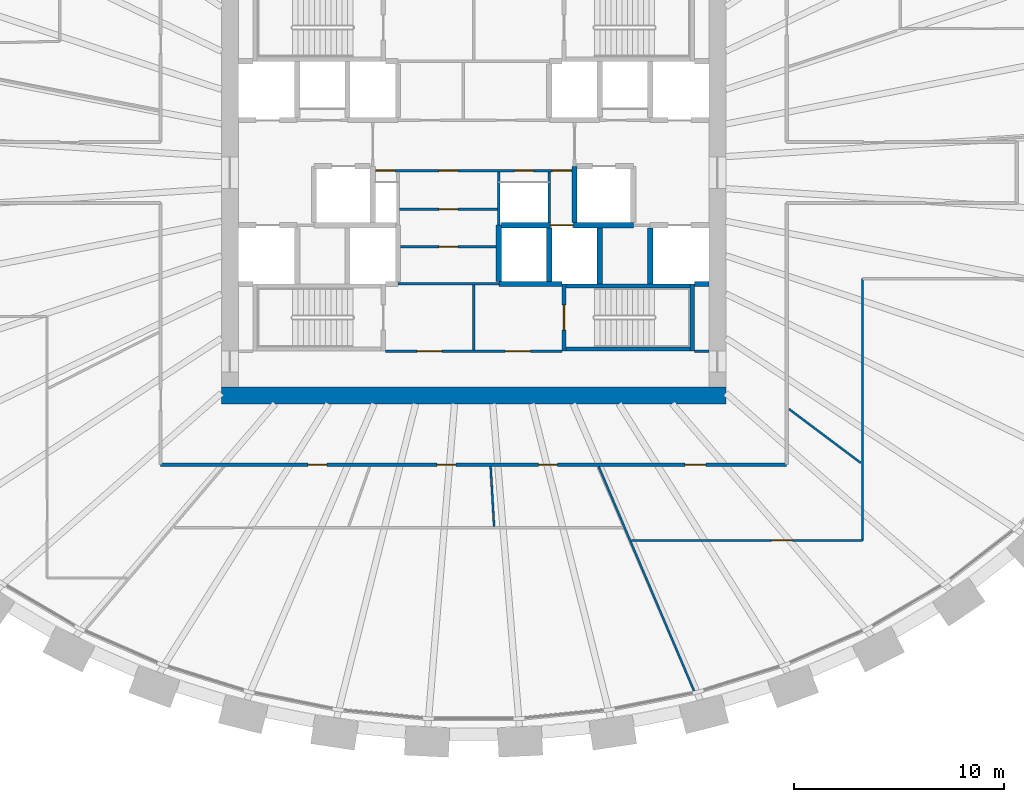
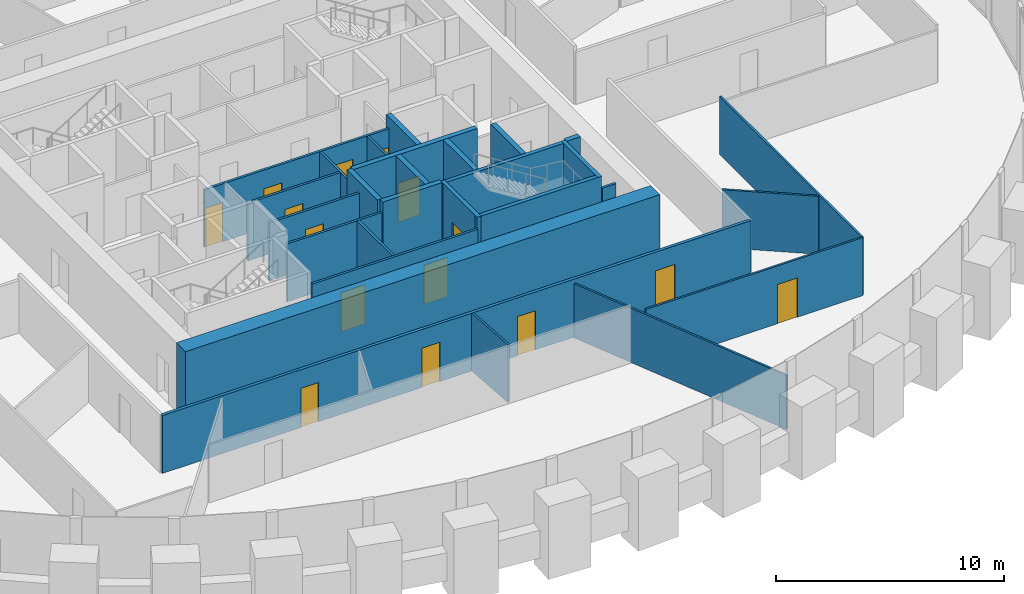
# One storey, part 7 of 11: 28 walls, 15 doors, 15 openings.
"""IFC4 building model written with IfcOpenShell, lengths in metres."""

from ifc_helpers import new_model, si_unit, direction, frame, frame_2d, origin, place, context, subcontext, project, spatial, rectangle, extrude, source, transform, mapped, material, layer, layer_set, type_object, element, fill, save


model = new_model("IFC4")

# Units and contexts
model_context = context("Model", 3, precision=1e-05, world=origin(), true_north=direction((0.0, 1.0)))
body_context = subcontext(model_context, "Body", "Model", "MODEL_VIEW")
ifc_project = project(units=[si_unit("LENGTHUNIT", "METRE"), si_unit("AREAUNIT", "SQUARE_METRE"), si_unit("VOLUMEUNIT", "CUBIC_METRE"), si_unit("PLANEANGLEUNIT", "RADIAN"), si_unit("MASSUNIT", "GRAM", prefix="KILO")], contexts=[model_context])

# Site, building, storey
site_placement = place(None, origin())
site = spatial("IfcSite", under=ifc_project, at=site_placement, CompositionType="ELEMENT")
building_placement = place(site_placement, origin())
building = spatial("IfcBuilding", under=site, at=building_placement, Name="Embergate Tower", CompositionType="ELEMENT")
storey_placement = place(building_placement, frame((0.0, 0.0, 226.800048828125)))
storey = spatial("IfcBuildingStorey", under=building, at=storey_placement, Name="L52", CompositionType="ELEMENT", Elevation=226.800048828125)

# Walls
ifc_material_1 = material(Name="Concrete C70", Category="concrete")
ifc_layer_1 = layer(ifc_material_1, 0.800048828125)
ifc_layer_set_1 = layer_set([ifc_layer_1], Name="Concrete C70")
wall_type_1 = type_object("IfcWallType", Name="Core outer wall C70 800", PredefinedType="SHEAR", material=ifc_layer_set_1)
shared_shape_1 = source(origin(), body_context, "Body", "SweptSolid", [
    extrude(rectangle(XDim=24.0, YDim=0.800048828125, at=frame_2d((12.0, 0.0))), origin(), (0.0, 0.0, 1.0), 3.89990234375),
])
wall_1_placement = place(storey_placement, frame((-12.0, -10.60009765625, -0.199951171875), z_axis=(0.0, 0.0, 1.0), x_axis=(1.0, 0.0, 0.0)))
element("IfcWall", 1, at=wall_1_placement, inside=storey, type_object=wall_type_1, Name="CW-L52-S", PredefinedType="SHEAR", context=body_context, shape_type="MappedRepresentation", body=[
    mapped(shared_shape_1, transform((0.0, 0.0, 0.0))),
])
ifc_material_2 = material(Name="Concrete C50", Category="concrete")
ifc_layer_2 = layer(ifc_material_2, 0.25)
ifc_layer_set_2 = layer_set([ifc_layer_2], Name="Concrete C50")
wall_type_2 = type_object("IfcWallType", Name="Hoistway wall reinforced concrete 250", PredefinedType="SHEAR", material=ifc_layer_set_2)
shared_shape_2 = source(origin(), body_context, "Body", "SweptSolid", [
    extrude(rectangle(XDim=2.675048828125, YDim=0.25, at=frame_2d((1.33740234375, 0.0))), origin(), (0.0, 0.0, 1.0), 3.699951171875),
])
for number, where, z_axis, x_axis, name in (
    (2, (1.199951171875, -2.5, 0.0), (0.0, 0.0, 1.0), (0.0, -1.0, 0.0), "HW-1 wall"),
    (3, (4.800048828125, -2.375, 0.0), (0.0, 0.0, 1.0), (0.0, 1.0, 0.0), "HW-1 wall"),
):
    element("IfcWall", number, at=place(storey_placement, frame(where, z_axis=z_axis, x_axis=x_axis)), inside=storey, type_object=wall_type_2, Name=name, PredefinedType="SHEAR", context=body_context, shape_type="MappedRepresentation", body=[
        mapped(shared_shape_2, transform((0.0, 0.0, 0.0))),
    ])
ifc_layer_3 = layer(ifc_material_2, 0.199951171875)
ifc_layer_set_3 = layer_set([ifc_layer_3], Name="Concrete C50")
wall_type_3 = type_object("IfcWallType", Name="Stair enclosure wall reinforced concrete 250", PredefinedType="SHEAR", material=ifc_layer_set_3)
shared_shape_3 = source(origin(), body_context, "Body", "SweptSolid", [
    extrude(rectangle(XDim=6.300048828125, YDim=0.199951171875, at=frame_2d((3.14990234375, 0.0))), origin(), (0.0, 0.0, 1.0), 3.699951171875),
])
for number, where, z_axis, x_axis, name in (
    (4, (4.199951171875, -5.39990234375, 0.0), (0.0, 0.0, 1.0), (1.0, 0.0, 0.0), "SE-1 wall"),
    (5, (4.199951171875, -8.39990234375, 0.0), (0.0, 0.0, 1.0), (1.0, 0.0, 0.0), "SE-1 wall"),
):
    element("IfcWall", number, at=place(storey_placement, frame(where, z_axis=z_axis, x_axis=x_axis)), inside=storey, type_object=wall_type_3, Name=name, PredefinedType="SHEAR", context=body_context, shape_type="MappedRepresentation", body=[
        mapped(shared_shape_3, transform((0.0, 0.0, 0.0))),
    ])
shared_shape_4 = source(origin(), body_context, "Body", "SweptSolid", [
    extrude(rectangle(XDim=2.550048828125, YDim=0.25, at=frame_2d((1.27490234375, 0.0))), origin(), (0.0, 0.0, 1.0), 3.699951171875),
])
wall_2_placement = place(storey_placement, frame((3.60009765625, -5.175048828125, 0.0), z_axis=(0.0, 0.0, 1.0), x_axis=(0.0, 1.0, 0.0)))
element("IfcWall", 6, at=wall_2_placement, inside=storey, type_object=wall_type_2, Name="HW-1 wall", PredefinedType="SHEAR", context=body_context, shape_type="MappedRepresentation", body=[
    mapped(shared_shape_4, transform((0.0, 0.0, 0.0))),
])

# Wall, opening, door
shared_shape_5 = source(origin(), body_context, "Body", "SweptSolid", [
    extrude(rectangle(XDim=3.199951171875, YDim=0.199951171875, at=frame_2d((1.60009765625, 0.0))), origin(), (0.0, 0.0, 1.0), 3.699951171875),
])
wall_3_placement = place(storey_placement, frame((4.300048828125, -5.300048828125, 0.0), z_axis=(0.0, 0.0, 1.0), x_axis=(0.0, -1.0, 0.0)))
wall_3 = element("IfcWall", 7, at=wall_3_placement, inside=storey, type_object=wall_type_3, Name="SE-1 wall", PredefinedType="SHEAR", context=body_context, shape_type="MappedRepresentation", body=[
    mapped(shared_shape_5, transform((0.0, 0.0, 0.0))),
])
shared_shape_6 = source(origin(), body_context, "Body", "SweptSolid", [
    extrude(rectangle(XDim=1.199951171875, YDim=2.10009765625, at=frame_2d((0.60009765625, 1.050048828125))), frame((0.0, 0.10986328125, 0.0), z_axis=(0.0, -1.0, 0.0), x_axis=(1.0, 0.0, 0.0)), (0.0, 0.0, 1.0), 0.219970703125),
])
opening_1_placement = place(wall_3_placement, frame((1.0, 0.0, 0.0)))
opening_1 = element("IfcOpeningElement", 8, at=opening_1_placement, cuts=wall_3, Name="Opening IF-2", PredefinedType="OPENING", context=body_context, shape_type="MappedRepresentation", body=[
    mapped(shared_shape_6, transform((0.0, 0.0, 0.0))),
])
ifc_material_3 = material(Name="Stair enclosure door 1200")
door_type_1 = type_object("IfcDoorType", Name="Stair enclosure door 1200", OperationType="SINGLE_SWING_LEFT", PredefinedType="DOOR", material=ifc_material_3)
shared_shape_7 = source(origin(), body_context, "Body", "SweptSolid", [
    extrude(rectangle(XDim=1.199951171875, YDim=2.10009765625, at=frame_2d((0.60009765625, 1.050048828125))), frame((0.0, 0.02490234375, 0.0), z_axis=(0.0, -1.0, 0.0), x_axis=(1.0, 0.0, 0.0)), (0.0, 0.0, 1.0), 0.050048828125),
])
door_1_placement = place(opening_1_placement, origin())
door_1 = element("IfcDoor", 9, at=door_1_placement, inside=storey, type_object=door_type_1, Name="IF-2 door", OperationType="SINGLE_SWING_LEFT", OverallHeight=2.10009765625, OverallWidth=1.199951171875, PredefinedType="DOOR", context=body_context, shape_type="MappedRepresentation", body=[
    mapped(shared_shape_7, transform((0.0, 0.0, 0.0))),
])
fill(opening_1, door_1)

# Wall, openings, doors
ifc_material_4 = material(Name="Core partition blockwork 120")
ifc_layer_4 = layer(ifc_material_4, 0.1201171875)
ifc_layer_set_4 = layer_set([ifc_layer_4], Name="Core partition blockwork 120")
wall_type_4 = type_object("IfcWallType", Name="Core partition blockwork 120", PredefinedType="PARTITIONING", material=ifc_layer_set_4)
shared_shape_8 = source(origin(), body_context, "Body", "SweptSolid", [
    extrude(rectangle(XDim=8.39990234375, YDim=0.1201171875, at=frame_2d((4.199951171875, 0.0))), origin(), (0.0, 0.0, 1.0), 3.099853515625),
])
wall_4_placement = place(storey_placement, frame((-4.199951171875, -8.5, 0.0), z_axis=(0.0, 0.0, 1.0), x_axis=(1.0, 0.0, 0.0)))
wall_4 = element("IfcWall", 10, at=wall_4_placement, inside=storey, type_object=wall_type_4, Name="IP-3 wall", PredefinedType="PARTITIONING", context=body_context, shape_type="MappedRepresentation", body=[
    mapped(shared_shape_8, transform((0.0, 0.0, 0.0))),
])
shared_shape_9 = source(origin(), body_context, "Body", "SweptSolid", [
    extrude(rectangle(XDim=1.199951171875, YDim=2.10009765625, at=frame_2d((0.60009765625, 1.050048828125))), frame((0.0, 0.070068359375, 0.0), z_axis=(0.0, -1.0, 0.0), x_axis=(1.0, 0.0, 0.0)), (0.0, 0.0, 1.0), 0.14013671875),
])
opening_2_placement = place(wall_4_placement, frame((1.5, 0.0, 0.0)))
opening_2 = element("IfcOpeningElement", 11, at=opening_2_placement, cuts=wall_4, Name="Opening IF-3f", PredefinedType="OPENING", context=body_context, shape_type="MappedRepresentation", body=[
    mapped(shared_shape_9, transform((0.0, 0.0, 0.0))),
])
opening_3_placement = place(wall_4_placement, frame((5.699951171875, 0.0, 0.0)))
opening_3 = element("IfcOpeningElement", 12, at=opening_3_placement, cuts=wall_4, Name="Opening IF-3f", PredefinedType="OPENING", context=body_context, shape_type="MappedRepresentation", body=[
    mapped(shared_shape_9, transform((0.0, 0.0, 0.0))),
])
ifc_material_5 = material(Name="Lobby fire door pair 1200")
door_type_2 = type_object("IfcDoorType", Name="Lobby fire door pair 1200", OperationType="DOUBLE_DOOR_SINGLE_SWING", PredefinedType="DOOR", material=ifc_material_5)
door_2_placement = place(opening_2_placement, origin())
door_2 = element("IfcDoor", 13, at=door_2_placement, inside=storey, type_object=door_type_2, Name="IF-3 door", OperationType="DOUBLE_DOOR_SINGLE_SWING", OverallHeight=2.10009765625, OverallWidth=1.199951171875, PredefinedType="DOOR", context=body_context, shape_type="MappedRepresentation", body=[
    mapped(shared_shape_7, transform((0.0, 0.0, 0.0))),
])
fill(opening_2, door_2)
door_3_placement = place(opening_3_placement, origin())
door_3 = element("IfcDoor", 14, at=door_3_placement, inside=storey, type_object=door_type_2, Name="IF-3 door", OperationType="DOUBLE_DOOR_SINGLE_SWING", OverallHeight=2.10009765625, OverallWidth=1.199951171875, PredefinedType="DOOR", context=body_context, shape_type="MappedRepresentation", body=[
    mapped(shared_shape_7, transform((0.0, 0.0, 0.0))),
])
fill(opening_3, door_3)

# Wall, opening, door
shared_shape_10 = source(origin(), body_context, "Body", "SweptSolid", [
    extrude(rectangle(XDim=6.27294921875, YDim=0.25, at=frame_2d((3.136474609375, 0.0))), origin(), (0.0, 0.0, 1.0), 3.699951171875),
])
wall_5_placement = place(storey_placement, frame((7.597900390625, -2.5, 0.0), z_axis=(0.0, 0.0, 1.0), x_axis=(-1.0, 0.0, 0.0)))
wall_5 = element("IfcWall", 15, at=wall_5_placement, inside=storey, type_object=wall_type_2, Name="HW-1 wall", PredefinedType="SHEAR", context=body_context, shape_type="MappedRepresentation", body=[
    mapped(shared_shape_10, transform((0.0, 0.0, 0.0))),
])
shared_shape_11 = source(origin(), body_context, "Body", "SweptSolid", [
    extrude(rectangle(XDim=1.10009765625, YDim=2.10009765625, at=frame_2d((0.550048828125, 1.050048828125))), frame((0.0, 0.135009765625, 0.0), z_axis=(0.0, -1.0, 0.0), x_axis=(1.0, 0.0, 0.0)), (0.0, 0.0, 1.0), 0.27001953125),
])
opening_4_placement = place(wall_5_placement, frame((2.847900390625, 0.0, 0.0)))
opening_4 = element("IfcOpeningElement", 16, at=opening_4_placement, cuts=wall_5, Name="Opening LD", PredefinedType="OPENING", context=body_context, shape_type="MappedRepresentation", body=[
    mapped(shared_shape_11, transform((0.0, 0.0, 0.0))),
])
ifc_material_6 = material(Name="Landing door sliding 1100")
door_type_3 = type_object("IfcDoorType", Name="Landing door sliding 1100", OperationType="SLIDING_TO_LEFT", PredefinedType="DOOR", material=ifc_material_6)
shared_shape_12 = source(origin(), body_context, "Body", "SweptSolid", [
    extrude(rectangle(XDim=1.10009765625, YDim=2.10009765625, at=frame_2d((0.550048828125, 1.050048828125))), frame((0.0, 0.02490234375, 0.0), z_axis=(0.0, -1.0, 0.0), x_axis=(1.0, 0.0, 0.0)), (0.0, 0.0, 1.0), 0.050048828125),
])
door_4_placement = place(opening_4_placement, origin())
door_4 = element("IfcDoor", 17, at=door_4_placement, inside=storey, type_object=door_type_3, Name="LD door", OperationType="SLIDING_TO_RIGHT", OverallHeight=2.10009765625, OverallWidth=1.10009765625, PredefinedType="DOOR", context=body_context, shape_type="MappedRepresentation", body=[
    mapped(shared_shape_12, transform((0.0, 0.0, 0.0))),
])
fill(opening_4, door_4)

# Walls
shared_shape_13 = source(origin(), body_context, "Body", "SweptSolid", [
    extrude(rectangle(XDim=3.0, YDim=0.25, at=frame_2d((1.5, 0.0))), origin(), (0.0, 0.0, 1.0), 3.699951171875),
])
wall_6_placement = place(storey_placement, frame((1.199951171875, -5.300048828125, 0.0), z_axis=(0.0, 0.0, 1.0), x_axis=(1.0, 0.0, 0.0)))
element("IfcWall", 18, at=wall_6_placement, inside=storey, type_object=wall_type_2, Name="HW-1 wall", PredefinedType="SHEAR", context=body_context, shape_type="MappedRepresentation", body=[
    mapped(shared_shape_13, transform((0.0, 0.0, 0.0))),
])
shared_shape_14 = source(origin(), body_context, "Body", "SweptSolid", [
    extrude(rectangle(XDim=3.196044921875, YDim=0.199951171875, at=frame_2d((1.59814453125, 0.0))), origin(), (0.0, 0.0, 1.0), 3.699951171875),
])
wall_7_placement = place(storey_placement, frame((10.39990234375, -8.498046875, 0.0), z_axis=(0.0, 0.0, 1.0), x_axis=(0.0, 1.0, 0.0)))
element("IfcWall", 19, at=wall_7_placement, inside=storey, type_object=wall_type_3, Name="SE-1 wall", PredefinedType="SHEAR", context=body_context, shape_type="MappedRepresentation", body=[
    mapped(shared_shape_14, transform((0.0, 0.0, 0.0))),
])
shared_shape_15 = source(origin(), body_context, "Body", "SweptSolid", [
    extrude(rectangle(XDim=0.697998046875, YDim=0.25, at=frame_2d((0.34912109375, 0.0))), origin(), (0.0, 0.0, 1.0), 3.699951171875),
])
wall_8_placement = place(storey_placement, frame((10.501953125, -5.300048828125, 0.0), z_axis=(0.0, 0.0, 1.0), x_axis=(1.0, 0.0, 0.0)))
element("IfcWall", 20, at=wall_8_placement, inside=storey, type_object=wall_type_2, Name="HW-1 wall", PredefinedType="SHEAR", context=body_context, shape_type="MappedRepresentation", body=[
    mapped(shared_shape_15, transform((0.0, 0.0, 0.0))),
])
shared_shape_16 = source(origin(), body_context, "Body", "SweptSolid", [
    extrude(rectangle(XDim=2.671142578125, YDim=0.25, at=frame_2d((1.33544921875, 0.0))), origin(), (0.0, 0.0, 1.0), 3.699951171875),
])
for number, where, z_axis, x_axis, name in (
    (21, (6.0, -5.298095703125, 0.0), (0.0, 0.0, 1.0), (0.0, 1.0, 0.0), "HW-1 wall"),
    (22, (8.39990234375, -2.626953125, 0.0), (0.0, 0.0, 1.0), (0.0, -1.0, 0.0), "HW-1 wall"),
):
    element("IfcWall", number, at=place(storey_placement, frame(where, z_axis=z_axis, x_axis=x_axis)), inside=storey, type_object=wall_type_2, Name=name, PredefinedType="SHEAR", context=body_context, shape_type="MappedRepresentation", body=[
        mapped(shared_shape_16, transform((0.0, 0.0, 0.0))),
    ])

# Wall, openings, doors
shared_shape_17 = source(origin(), body_context, "Body", "SweptSolid", [
    extrude(rectangle(XDim=9.35009765625, YDim=0.1201171875, at=frame_2d((4.675048828125, 0.0))), origin(), (0.0, 0.0, 1.0), 3.099853515625),
])
wall_9_placement = place(storey_placement, frame((-4.675048828125, 0.10009765625, 0.0), z_axis=(0.0, 0.0, 1.0), x_axis=(1.0, 0.0, 0.0)))
wall_9 = element("IfcWall", 23, at=wall_9_placement, inside=storey, type_object=wall_type_4, Name="IP-3 wall", PredefinedType="PARTITIONING", context=body_context, shape_type="MappedRepresentation", body=[
    mapped(shared_shape_17, transform((0.0, 0.0, 0.0))),
])
shared_shape_18 = source(origin(), body_context, "Body", "SweptSolid", [
    extrude(rectangle(XDim=0.89990234375, YDim=2.10009765625, at=frame_2d((0.449951171875, 1.050048828125))), frame((0.0, 0.070068359375, 0.0), z_axis=(0.0, -1.0, 0.0), x_axis=(1.0, 0.0, 0.0)), (0.0, 0.0, 1.0), 0.14013671875),
])
opening_5_placement = place(wall_9_placement, frame((8.425048828125, 0.0, 0.0)))
opening_5 = element("IfcOpeningElement", 24, at=opening_5_placement, cuts=wall_9, Name="Opening IF-3c", PredefinedType="OPENING", context=body_context, shape_type="MappedRepresentation", body=[
    mapped(shared_shape_18, transform((0.0, 0.0, 0.0))),
])
opening_6_placement = place(wall_9_placement, frame((0.02490234375, 0.0, 0.0)))
opening_6 = element("IfcOpeningElement", 25, at=opening_6_placement, cuts=wall_9, Name="Opening ID-1", PredefinedType="OPENING", context=body_context, shape_type="MappedRepresentation", body=[
    mapped(shared_shape_18, transform((0.0, 0.0, 0.0))),
])
opening_7_placement = place(wall_9_placement, frame((6.625, 0.0, 0.0)))
opening_7 = element("IfcOpeningElement", 26, at=opening_7_placement, cuts=wall_9, Name="Opening ID-1", PredefinedType="OPENING", context=body_context, shape_type="MappedRepresentation", body=[
    mapped(shared_shape_18, transform((0.0, 0.0, 0.0))),
])
opening_8_placement = place(wall_9_placement, frame((3.02490234375, 0.0, 0.0)))
opening_8 = element("IfcOpeningElement", 27, at=opening_8_placement, cuts=wall_9, Name="Opening ID-1", PredefinedType="OPENING", context=body_context, shape_type="MappedRepresentation", body=[
    mapped(shared_shape_18, transform((0.0, 0.0, 0.0))),
])
ifc_material_7 = material(Name="Lobby fire door pair 900")
door_type_4 = type_object("IfcDoorType", Name="Lobby fire door pair 900", OperationType="DOUBLE_DOOR_SINGLE_SWING", PredefinedType="DOOR", material=ifc_material_7)
shared_shape_19 = source(origin(), body_context, "Body", "SweptSolid", [
    extrude(rectangle(XDim=0.89990234375, YDim=2.10009765625, at=frame_2d((0.449951171875, 1.050048828125))), frame((0.0, 0.02490234375, 0.0), z_axis=(0.0, -1.0, 0.0), x_axis=(1.0, 0.0, 0.0)), (0.0, 0.0, 1.0), 0.050048828125),
])
door_5_placement = place(opening_5_placement, origin())
door_5 = element("IfcDoor", 28, at=door_5_placement, inside=storey, type_object=door_type_4, Name="IF-3 door", OperationType="DOUBLE_DOOR_SINGLE_SWING", OverallHeight=2.10009765625, OverallWidth=0.89990234375, PredefinedType="DOOR", context=body_context, shape_type="MappedRepresentation", body=[
    mapped(shared_shape_19, transform((0.0, 0.0, 0.0))),
])
fill(opening_5, door_5)
ifc_material_8 = material(Name="Interior door 900")
door_type_5 = type_object("IfcDoorType", Name="Interior door 900", OperationType="SINGLE_SWING_LEFT", PredefinedType="DOOR", material=ifc_material_8)
door_6_placement = place(opening_6_placement, origin())
door_6 = element("IfcDoor", 29, at=door_6_placement, inside=storey, type_object=door_type_5, Name="ID-1 door", OperationType="SINGLE_SWING_LEFT", OverallHeight=2.10009765625, OverallWidth=0.89990234375, PredefinedType="DOOR", context=body_context, shape_type="MappedRepresentation", body=[
    mapped(shared_shape_19, transform((0.0, 0.0, 0.0))),
])
fill(opening_6, door_6)
door_7_placement = place(opening_7_placement, origin())
door_7 = element("IfcDoor", 30, at=door_7_placement, inside=storey, type_object=door_type_5, Name="ID-1 door", OperationType="SINGLE_SWING_LEFT", OverallHeight=2.10009765625, OverallWidth=0.89990234375, PredefinedType="DOOR", context=body_context, shape_type="MappedRepresentation", body=[
    mapped(shared_shape_19, transform((0.0, 0.0, 0.0))),
])
fill(opening_7, door_7)
door_8_placement = place(opening_8_placement, origin())
door_8 = element("IfcDoor", 31, at=door_8_placement, inside=storey, type_object=door_type_5, Name="ID-1 door", OperationType="SINGLE_SWING_RIGHT", OverallHeight=2.10009765625, OverallWidth=0.89990234375, PredefinedType="DOOR", context=body_context, shape_type="MappedRepresentation", body=[
    mapped(shared_shape_19, transform((0.0, 0.0, 0.0))),
])
fill(opening_8, door_8)

# Walls
shared_shape_20 = source(origin(), body_context, "Body", "SweptSolid", [
    extrude(rectangle(XDim=2.5400390625, YDim=0.1201171875, at=frame_2d((1.27001953125, 0.0))), origin(), (0.0, 0.0, 1.0), 3.099853515625),
])
wall_10_placement = place(storey_placement, frame((1.199951171875, 0.0400390625, 0.0), z_axis=(0.0, 0.0, 1.0), x_axis=(0.0, -1.0, 0.0)))
element("IfcWall", 32, at=wall_10_placement, inside=storey, type_object=wall_type_4, Name="IP-3 wall", PredefinedType="PARTITIONING", context=body_context, shape_type="MappedRepresentation", body=[
    mapped(shared_shape_20, transform((0.0, 0.0, 0.0))),
])
shared_shape_21 = source(origin(), body_context, "Body", "SweptSolid", [
    extrude(rectangle(XDim=2.4150390625, YDim=0.1201171875, at=frame_2d((1.20751953125, 0.0))), origin(), (0.0, 0.0, 1.0), 3.099853515625),
])
wall_11_placement = place(storey_placement, frame((3.60009765625, -2.375, 0.0), z_axis=(0.0, 0.0, 1.0), x_axis=(0.0, 1.0, 0.0)))
element("IfcWall", 33, at=wall_11_placement, inside=storey, type_object=wall_type_4, Name="IP-3 wall", PredefinedType="PARTITIONING", context=body_context, shape_type="MappedRepresentation", body=[
    mapped(shared_shape_21, transform((0.0, 0.0, 0.0))),
])
shared_shape_22 = source(origin(), body_context, "Body", "SweptSolid", [
    extrude(rectangle(XDim=3.079833984375, YDim=0.1201171875, at=frame_2d((1.5400390625, 0.0))), origin(), (0.0, 0.0, 1.0), 3.099853515625),
])
wall_12_placement = place(storey_placement, frame((0.0, -8.43994140625, 0.0), z_axis=(0.0, 0.0, 1.0), x_axis=(0.0, 1.0, 0.0)))
element("IfcWall", 34, at=wall_12_placement, inside=storey, type_object=wall_type_4, Name="IP-3 wall", PredefinedType="PARTITIONING", context=body_context, shape_type="MappedRepresentation", body=[
    mapped(shared_shape_22, transform((0.0, 0.0, 0.0))),
])
shared_shape_23 = source(origin(), body_context, "Body", "SweptSolid", [
    extrude(rectangle(XDim=4.800048828125, YDim=0.1201171875, at=frame_2d((2.39990234375, 0.0))), origin(), (0.0, 0.0, 1.0), 3.099853515625),
])
wall_13_placement = place(storey_placement, frame((1.199951171875, -5.300048828125, 0.0), z_axis=(0.0, 0.0, 1.0), x_axis=(-1.0, 0.0, 0.0)))
element("IfcWall", 35, at=wall_13_placement, inside=storey, type_object=wall_type_4, Name="IP-3 wall", PredefinedType="PARTITIONING", context=body_context, shape_type="MappedRepresentation", body=[
    mapped(shared_shape_23, transform((0.0, 0.0, 0.0))),
])
shared_shape_24 = source(origin(), body_context, "Body", "SweptSolid", [
    extrude(rectangle(XDim=0.697998046875, YDim=0.1201171875, at=frame_2d((0.34912109375, 0.0))), origin(), (0.0, 0.0, 1.0), 3.099853515625),
])
wall_14_placement = place(storey_placement, frame((11.199951171875, -8.5, 0.0), z_axis=(0.0, 0.0, 1.0), x_axis=(-1.0, 0.0, 0.0)))
element("IfcWall", 36, at=wall_14_placement, inside=storey, type_object=wall_type_4, Name="IP-3 wall", PredefinedType="PARTITIONING", context=body_context, shape_type="MappedRepresentation", body=[
    mapped(shared_shape_24, transform((0.0, 0.0, 0.0))),
])

# Wall, opening, door
shared_shape_25 = source(origin(), body_context, "Body", "SweptSolid", [
    extrude(rectangle(XDim=4.550048828125, YDim=0.1201171875, at=frame_2d((2.27490234375, 0.0))), origin(), (0.0, 0.0, 1.0), 3.099853515625),
])
wall_15_placement = place(storey_placement, frame((1.074951171875, -3.51806640625, 0.0), z_axis=(0.0, 0.0, 1.0), x_axis=(-1.0, 0.0, 0.0)))
wall_15 = element("IfcWall", 37, at=wall_15_placement, inside=storey, type_object=wall_type_4, Name="IP-3 wall", PredefinedType="PARTITIONING", context=body_context, shape_type="MappedRepresentation", body=[
    mapped(shared_shape_25, transform((0.0, 0.0, 0.0))),
])
opening_9_placement = place(wall_15_placement, frame((1.824951171875, 0.0, 0.0)))
opening_9 = element("IfcOpeningElement", 38, at=opening_9_placement, cuts=wall_15, Name="Opening ID-1", PredefinedType="OPENING", context=body_context, shape_type="MappedRepresentation", body=[
    mapped(shared_shape_18, transform((0.0, 0.0, 0.0))),
])
door_9_placement = place(opening_9_placement, origin())
door_9 = element("IfcDoor", 39, at=door_9_placement, inside=storey, type_object=door_type_5, Name="ID-1 door", OperationType="SINGLE_SWING_RIGHT", OverallHeight=2.10009765625, OverallWidth=0.89990234375, PredefinedType="DOOR", context=body_context, shape_type="MappedRepresentation", body=[
    mapped(shared_shape_19, transform((0.0, 0.0, 0.0))),
])
fill(opening_9, door_9)

# Wall, openings, doors
ifc_material_9 = material(Name="Corridor wall dry-lined 150 wet")
ifc_layer_5 = layer(ifc_material_9, 0.14990234375)
ifc_layer_set_5 = layer_set([ifc_layer_5], Name="Corridor wall dry-lined 150 wet")
wall_type_5 = type_object("IfcWallType", Name="Corridor wall dry-lined 150 wet", PredefinedType="PLUMBINGWALL", material=ifc_layer_set_5)
shared_shape_26 = source(origin(), body_context, "Body", "SweptSolid", [
    extrude(rectangle(XDim=29.7998046875, YDim=0.14990234375, at=frame_2d((14.89990234375, 0.0))), origin(), (0.0, 0.0, 1.0), 3.099853515625),
])
wall_16_placement = place(storey_placement, frame((14.89990234375, -13.89990234375, 0.0), z_axis=(0.0, 0.0, 1.0), x_axis=(-1.0, 0.0, 0.0)))
wall_16 = element("IfcWall", 40, at=wall_16_placement, inside=storey, type_object=wall_type_5, Name="IP-2 wall", PredefinedType="PLUMBINGWALL", context=body_context, shape_type="MappedRepresentation", body=[
    mapped(shared_shape_26, transform((0.0, 0.0, 0.0))),
])
shared_shape_27 = source(origin(), body_context, "Body", "SweptSolid", [
    extrude(rectangle(XDim=0.89990234375, YDim=2.10009765625, at=frame_2d((0.449951171875, 1.050048828125))), frame((0.0, 0.0849609375, 0.0), z_axis=(0.0, -1.0, 0.0), x_axis=(1.0, 0.0, 0.0)), (0.0, 0.0, 1.0), 0.169921875),
])
opening_10_placement = place(wall_16_placement, frame((21.888916015625, 0.0, 0.0)))
opening_10 = element("IfcOpeningElement", 41, at=opening_10_placement, cuts=wall_16, Name="Opening IF-1c", PredefinedType="OPENING", context=body_context, shape_type="MappedRepresentation", body=[
    mapped(shared_shape_27, transform((0.0, 0.0, 0.0))),
])
opening_11_placement = place(wall_16_placement, frame((15.7451171875, 0.0, 0.0)))
opening_11 = element("IfcOpeningElement", 42, at=opening_11_placement, cuts=wall_16, Name="Opening IF-1c", PredefinedType="OPENING", context=body_context, shape_type="MappedRepresentation", body=[
    mapped(shared_shape_27, transform((0.0, 0.0, 0.0))),
])
opening_12_placement = place(wall_16_placement, frame((10.9130859375, 0.0, 0.0)))
opening_12 = element("IfcOpeningElement", 43, at=opening_12_placement, cuts=wall_16, Name="Opening IF-1c", PredefinedType="OPENING", context=body_context, shape_type="MappedRepresentation", body=[
    mapped(shared_shape_27, transform((0.0, 0.0, 0.0))),
])
shared_shape_28 = source(origin(), body_context, "Body", "SweptSolid", [
    extrude(rectangle(XDim=1.0, YDim=2.10009765625, at=frame_2d((0.5, 1.050048828125))), frame((0.0, 0.0849609375, 0.0), z_axis=(0.0, -1.0, 0.0), x_axis=(1.0, 0.0, 0.0)), (0.0, 0.0, 1.0), 0.169921875),
])
opening_13_placement = place(wall_16_placement, frame((3.846923828125, 0.0, 0.0)))
opening_13 = element("IfcOpeningElement", 44, at=opening_13_placement, cuts=wall_16, Name="Opening ID-2", PredefinedType="OPENING", context=body_context, shape_type="MappedRepresentation", body=[
    mapped(shared_shape_28, transform((0.0, 0.0, 0.0))),
])
ifc_material_10 = material(Name="Escape fire door 900")
door_type_6 = type_object("IfcDoorType", Name="Escape fire door 900", OperationType="SINGLE_SWING_LEFT", PredefinedType="DOOR", material=ifc_material_10)
door_10_placement = place(opening_10_placement, origin())
door_10 = element("IfcDoor", 45, at=door_10_placement, inside=storey, type_object=door_type_6, Name="IF-1 door", OperationType="SINGLE_SWING_LEFT", OverallHeight=2.10009765625, OverallWidth=0.89990234375, PredefinedType="DOOR", context=body_context, shape_type="MappedRepresentation", body=[
    mapped(shared_shape_19, transform((0.0, 0.0, 0.0))),
])
fill(opening_10, door_10)
door_11_placement = place(opening_11_placement, origin())
door_11 = element("IfcDoor", 46, at=door_11_placement, inside=storey, type_object=door_type_6, Name="IF-1 door", OperationType="SINGLE_SWING_LEFT", OverallHeight=2.10009765625, OverallWidth=0.89990234375, PredefinedType="DOOR", context=body_context, shape_type="MappedRepresentation", body=[
    mapped(shared_shape_19, transform((0.0, 0.0, 0.0))),
])
fill(opening_11, door_11)
door_12_placement = place(opening_12_placement, origin())
door_12 = element("IfcDoor", 47, at=door_12_placement, inside=storey, type_object=door_type_6, Name="IF-1 door", OperationType="SINGLE_SWING_LEFT", OverallHeight=2.10009765625, OverallWidth=0.89990234375, PredefinedType="DOOR", context=body_context, shape_type="MappedRepresentation", body=[
    mapped(shared_shape_19, transform((0.0, 0.0, 0.0))),
])
fill(opening_12, door_12)
ifc_material_11 = material(Name="Interior door 1000")
door_type_7 = type_object("IfcDoorType", Name="Interior door 1000", OperationType="SINGLE_SWING_LEFT", PredefinedType="DOOR", material=ifc_material_11)
shared_shape_29 = source(origin(), body_context, "Body", "SweptSolid", [
    extrude(rectangle(XDim=1.0, YDim=2.10009765625, at=frame_2d((0.5, 1.050048828125))), frame((0.0, 0.02490234375, 0.0), z_axis=(0.0, -1.0, 0.0), x_axis=(1.0, 0.0, 0.0)), (0.0, 0.0, 1.0), 0.050048828125),
])
door_13_placement = place(opening_13_placement, origin())
door_13 = element("IfcDoor", 48, at=door_13_placement, inside=storey, type_object=door_type_7, Name="ID-2 door", OperationType="SINGLE_SWING_RIGHT", OverallHeight=2.10009765625, OverallWidth=1.0, PredefinedType="DOOR", context=body_context, shape_type="MappedRepresentation", body=[
    mapped(shared_shape_29, transform((0.0, 0.0, 0.0))),
])
fill(opening_13, door_13)

# Walls
ifc_material_12 = material(Name="Partition dry-lined 100 wet")
ifc_layer_6 = layer(ifc_material_12, 0.10009765625)
ifc_layer_set_6 = layer_set([ifc_layer_6], Name="Partition dry-lined 100 wet")
wall_type_6 = type_object("IfcWallType", Name="Partition dry-lined 100 wet", PredefinedType="PLUMBINGWALL", material=ifc_layer_set_6)
shared_shape_30 = source(origin(), body_context, "Body", "SweptSolid", [
    extrude(rectangle(XDim=2.8798828125, YDim=0.10009765625, at=frame_2d((1.43994140625, 0.0))), origin(), (0.0, 0.0, 1.0), 3.099853515625),
])
wall_17_placement = place(storey_placement, frame((0.806884765625, -13.97509765625, 0.0), z_axis=(0.0, 0.0, 1.0), x_axis=(0.057648532567, -0.998336940463, 0.0)))
element("IfcWall", 49, at=wall_17_placement, inside=storey, type_object=wall_type_6, Name="IP-1 wall", PredefinedType="PLUMBINGWALL", context=body_context, shape_type="MappedRepresentation", body=[
    mapped(shared_shape_30, transform((0.0, 0.0, 0.0))),
])
shared_shape_31 = source(origin(), body_context, "Body", "SweptSolid", [
    extrude(rectangle(XDim=11.678955078125, YDim=0.10009765625, at=frame_2d((5.83935546875, 0.0))), origin(), (0.0, 0.0, 1.0), 2.89990234375),
])
wall_18_placement = place(storey_placement, frame((10.52099609375, -24.742919921875, 0.0), z_axis=(0.0, 0.0, 1.0), x_axis=(-0.391303971725, 0.92026148551, 0.0)))
element("IfcWall", 50, at=wall_18_placement, inside=storey, type_object=wall_type_6, Name="IP-1 wall", PredefinedType="PLUMBINGWALL", context=body_context, shape_type="MappedRepresentation", body=[
    mapped(shared_shape_31, transform((0.0, 0.0, 0.0))),
])
ifc_material_13 = material(Name="Partition dry-lined 100")
ifc_layer_7 = layer(ifc_material_13, 0.10009765625)
ifc_layer_set_7 = layer_set([ifc_layer_7], Name="Partition dry-lined 100")
wall_type_7 = type_object("IfcWallType", Name="Partition dry-lined 100", PredefinedType="PARTITIONING", material=ifc_layer_set_7)
shared_shape_32 = source(origin(), body_context, "Body", "SweptSolid", [
    extrude(rectangle(XDim=4.2685546875, YDim=0.10009765625, at=frame_2d((2.13427734375, 0.0))), origin(), (0.0, 0.0, 1.0), 3.099853515625),
])
wall_19_placement = place(storey_placement, frame((15.0048828125, -11.251953125, 0.0), z_axis=(0.0, 0.0, 1.0), x_axis=(0.800027452206, -0.599963395314, 0.0)))
element("IfcWall", 51, at=wall_19_placement, inside=storey, type_object=wall_type_7, Name="IP-1 wall", PredefinedType="PARTITIONING", context=body_context, shape_type="MappedRepresentation", body=[
    mapped(shared_shape_32, transform((0.0, 0.0, 0.0))),
])
shared_shape_33 = source(origin(), body_context, "Body", "SweptSolid", [
    extrude(rectangle(XDim=12.449951171875, YDim=0.10009765625, at=frame_2d((6.22509765625, 0.0))), origin(), (0.0, 0.0, 1.0), 3.099853515625),
])
wall_20_placement = place(storey_placement, frame((18.5, -5.050048828125, 0.0), z_axis=(0.0, 0.0, 1.0), x_axis=(0.0, -1.0, 0.0)))
element("IfcWall", 52, at=wall_20_placement, inside=storey, type_object=wall_type_7, Name="IP-1 wall", PredefinedType="PARTITIONING", context=body_context, shape_type="MappedRepresentation", body=[
    mapped(shared_shape_33, transform((0.0, 0.0, 0.0))),
])

# Wall, opening, door
shared_shape_34 = source(origin(), body_context, "Body", "SweptSolid", [
    extrude(rectangle(XDim=10.98291015625, YDim=0.10009765625, at=frame_2d((5.491455078125, 0.0))), origin(), (0.0, 0.0, 1.0), 3.099853515625),
])
wall_21_placement = place(storey_placement, frame((18.5, -17.5, 0.0), z_axis=(0.0, 0.0, 1.0), x_axis=(-1.0, 0.0, 0.0)))
wall_21 = element("IfcWall", 53, at=wall_21_placement, inside=storey, type_object=wall_type_7, Name="IP-1 wall", PredefinedType="PARTITIONING", context=body_context, shape_type="MappedRepresentation", body=[
    mapped(shared_shape_34, transform((0.0, 0.0, 0.0))),
])
shared_shape_35 = source(origin(), body_context, "Body", "SweptSolid", [
    extrude(rectangle(XDim=1.0, YDim=2.10009765625, at=frame_2d((0.5, 1.050048828125))), frame((0.0, 0.06005859375, 0.0), z_axis=(0.0, -1.0, 0.0), x_axis=(1.0, 0.0, 0.0)), (0.0, 0.0, 1.0), 0.1201171875),
])
opening_14_placement = place(wall_21_placement, frame((3.326904296875, 0.0, 0.0)))
opening_14 = element("IfcOpeningElement", 54, at=opening_14_placement, cuts=wall_21, Name="Opening ID-2", PredefinedType="OPENING", context=body_context, shape_type="MappedRepresentation", body=[
    mapped(shared_shape_35, transform((0.0, 0.0, 0.0))),
])
door_14_placement = place(opening_14_placement, origin())
door_14 = element("IfcDoor", 55, at=door_14_placement, inside=storey, type_object=door_type_7, Name="ID-2 door", OperationType="SINGLE_SWING_LEFT", OverallHeight=2.10009765625, OverallWidth=1.0, PredefinedType="DOOR", context=body_context, shape_type="MappedRepresentation", body=[
    mapped(shared_shape_29, transform((0.0, 0.0, 0.0))),
])
fill(opening_14, door_14)

shared_shape_36 = source(origin(), body_context, "Body", "SweptSolid", [
    extrude(rectangle(XDim=4.679931640625, YDim=0.1201171875, at=frame_2d((2.33984375, 0.0))), origin(), (0.0, 0.0, 1.0), 3.099853515625),
])
wall_22_placement = place(storey_placement, frame((1.139892578125, -1.736083984375, 0.0), z_axis=(0.0, 0.0, 1.0), x_axis=(-1.0, 0.0, 0.0)))
wall_22 = element("IfcWall", 56, at=wall_22_placement, inside=storey, type_object=wall_type_4, Name="IP-3 wall", PredefinedType="PARTITIONING", context=body_context, shape_type="MappedRepresentation", body=[
    mapped(shared_shape_36, transform((0.0, 0.0, 0.0))),
])
opening_15_placement = place(wall_22_placement, frame((1.889892578125, 0.0, 0.0)))
opening_15 = element("IfcOpeningElement", 57, at=opening_15_placement, cuts=wall_22, Name="Opening ID-1", PredefinedType="OPENING", context=body_context, shape_type="MappedRepresentation", body=[
    mapped(shared_shape_18, transform((0.0, 0.0, 0.0))),
])
door_15_placement = place(opening_15_placement, origin())
door_15 = element("IfcDoor", 58, at=door_15_placement, inside=storey, type_object=door_type_5, Name="ID-1 door", OperationType="SINGLE_SWING_RIGHT", OverallHeight=2.10009765625, OverallWidth=0.89990234375, PredefinedType="DOOR", context=body_context, shape_type="MappedRepresentation", body=[
    mapped(shared_shape_19, transform((0.0, 0.0, 0.0))),
])
fill(opening_15, door_15)

save(model, "model.ifc")
